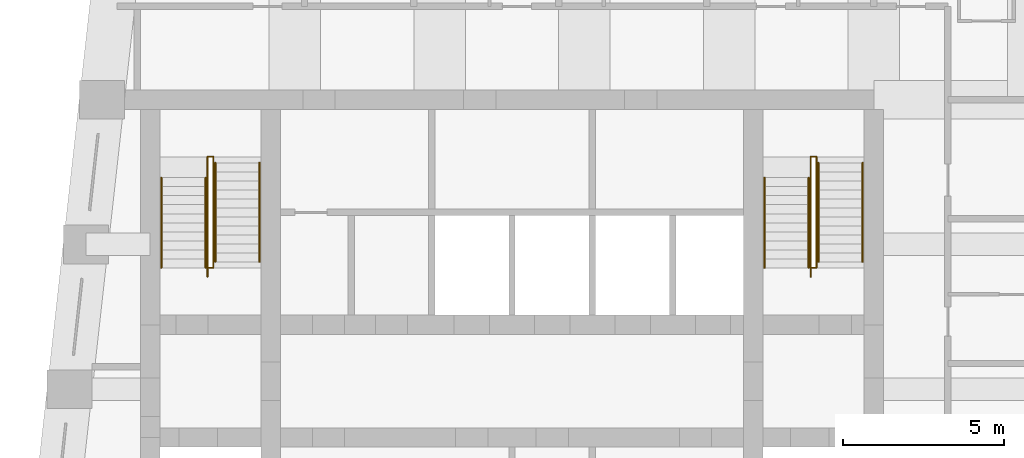
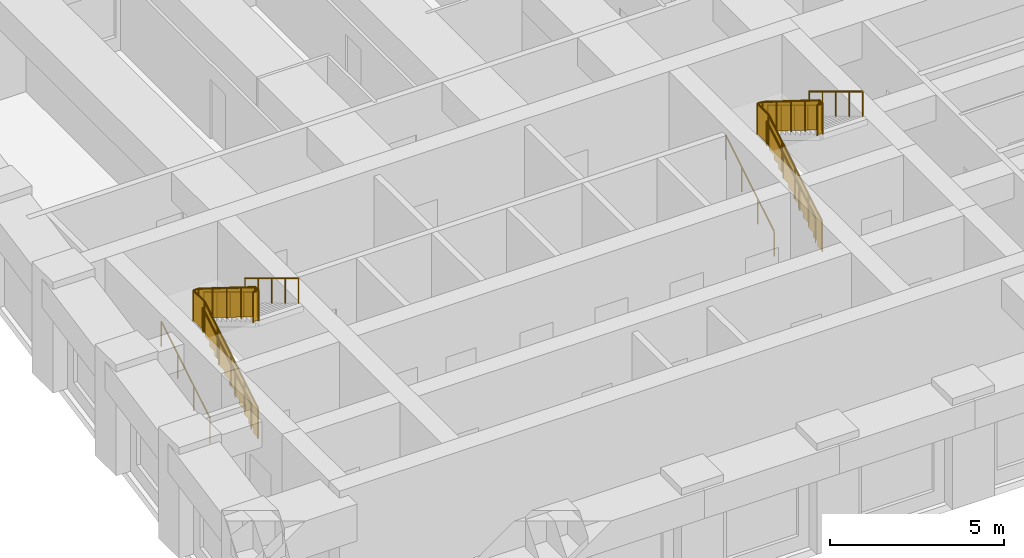
# One storey, part 7 of 7: 12 railings.
"""IFC4 building model written with IfcOpenShell, lengths in metres."""

from ifc_helpers import new_model, si_unit, direction, frame, origin, origin_2d, place, context, subcontext, project, spatial, polyline, circle, outline, extrude, material, type_object, element, save


model = new_model("IFC4")

# Units and contexts
model_context = context("Model", 3, precision=1e-05, world=origin(), true_north=direction((0.0, 1.0)))
body_context = subcontext(model_context, "Body", "Model", "MODEL_VIEW")
ifc_project = project(units=[si_unit("LENGTHUNIT", "METRE"), si_unit("AREAUNIT", "SQUARE_METRE"), si_unit("VOLUMEUNIT", "CUBIC_METRE"), si_unit("PLANEANGLEUNIT", "RADIAN"), si_unit("MASSUNIT", "GRAM", prefix="KILO")], contexts=[model_context])

# Site, building, storey
site_placement = place(None, origin())
site = spatial("IfcSite", under=ifc_project, at=site_placement, CompositionType="ELEMENT")
building_placement = place(site_placement, origin())
building = spatial("IfcBuilding", under=site, at=building_placement, Name="Kilele Tower Hotel", CompositionType="ELEMENT")
storey_placement = place(building_placement, frame((0.0, 0.0, 254.60009765625)))
storey = spatial("IfcBuildingStorey", under=building, at=storey_placement, Name="L65", CompositionType="ELEMENT", Elevation=254.60009765625)

# Railings
ifc_material_1 = material(Name="Steel handrail", Category="steel")
railing_type_1 = type_object("IfcRailingType", Name="Handrail 900", PredefinedType="HANDRAIL", material=ifc_material_1)
for number, where, name in (
    (1, (13.85009765625, 21.77490234375, 0.16943359375), "Handrail ST1 flight 1"),
    (2, (15.22509765625, 21.77490234375, 0.16943359375), "Handrail ST1 flight 1"),
):
    element("IfcRailing", number, at=place(storey_placement, frame(where)), inside=storey, type_object=railing_type_1, Name=name, PredefinedType="HANDRAIL", context=body_context, shape_type="SweptSolid", body=[
        extrude(circle(Radius=0.02490234375, at=origin_2d()), frame((0.0, 0.0, 0.875), z_axis=(0.0, 0.855360072898, 0.518033923302), x_axis=(-1.0, 0.0, 0.0)), (0.0, 0.0, 1.0), 3.2734375),
        extrude(circle(Radius=0.02001953125, at=origin_2d()), origin(), (0.0, 0.0, 1.0), 0.849853515625),
        extrude(circle(Radius=0.02001953125, at=origin_2d()), frame((0.0, 0.933349609375, 0.565185546875)), (0.0, 0.0, 1.0), 0.849853515625),
        extrude(circle(Radius=0.02001953125, at=origin_2d()), frame((0.0, 1.86669921875, 1.130615234375)), (0.0, 0.0, 1.0), 0.849853515625),
        extrude(circle(Radius=0.02001953125, at=origin_2d()), frame((0.0, 2.800048828125, 1.69580078125)), (0.0, 0.0, 1.0), 0.849853515625),
    ])
for number, where, name in (
    (3, (15.52490234375, 25.0400390625, 2.03466796875), "Handrail ST1 flight 2"),
    (4, (16.89990234375, 25.0400390625, 2.03466796875), "Handrail ST1 flight 2"),
):
    element("IfcRailing", number, at=place(storey_placement, frame(where)), inside=storey, type_object=railing_type_1, Name=name, PredefinedType="HANDRAIL", context=body_context, shape_type="SweptSolid", body=[
        extrude(circle(Radius=0.02490234375, at=origin_2d()), frame((0.0, 0.0, 0.875), z_axis=(0.0, -0.855379917629, 0.518001154937), x_axis=(1.0, 0.0, 0.0)), (0.0, 0.0, 1.0), 3.600830078125),
        extrude(circle(Radius=0.02001953125, at=origin_2d()), origin(), (0.0, 0.0, 1.0), 0.849853515625),
        extrude(circle(Radius=0.02001953125, at=origin_2d()), frame((0.0, -0.77001953125, 0.46630859375)), (0.0, 0.0, 1.0), 0.849853515625),
        extrude(circle(Radius=0.02001953125, at=origin_2d()), frame((0.0, -1.5400390625, 0.9326171875)), (0.0, 0.0, 1.0), 0.849853515625),
        extrude(circle(Radius=0.02001953125, at=origin_2d()), frame((0.0, -2.31005859375, 1.39892578125)), (0.0, 0.0, 1.0), 0.849853515625),
        extrude(circle(Radius=0.02001953125, at=origin_2d()), frame((0.0, -3.080078125, 1.865234375)), (0.0, 0.0, 1.0), 0.849853515625),
    ])
for number, where, name in (
    (5, (32.60009765625, 21.77490234375, 0.16943359375), "Handrail ST2 flight 1"),
    (6, (33.97509765625, 21.77490234375, 0.16943359375), "Handrail ST2 flight 1"),
):
    element("IfcRailing", number, at=place(storey_placement, frame(where)), inside=storey, type_object=railing_type_1, Name=name, PredefinedType="HANDRAIL", context=body_context, shape_type="SweptSolid", body=[
        extrude(circle(Radius=0.02490234375, at=origin_2d()), frame((0.0, 0.0, 0.875), z_axis=(0.0, 0.855360072898, 0.518033923302), x_axis=(-1.0, 0.0, 0.0)), (0.0, 0.0, 1.0), 3.2734375),
        extrude(circle(Radius=0.02001953125, at=origin_2d()), origin(), (0.0, 0.0, 1.0), 0.849853515625),
        extrude(circle(Radius=0.02001953125, at=origin_2d()), frame((0.0, 0.933349609375, 0.565185546875)), (0.0, 0.0, 1.0), 0.849853515625),
        extrude(circle(Radius=0.02001953125, at=origin_2d()), frame((0.0, 1.86669921875, 1.130615234375)), (0.0, 0.0, 1.0), 0.849853515625),
        extrude(circle(Radius=0.02001953125, at=origin_2d()), frame((0.0, 2.800048828125, 1.69580078125)), (0.0, 0.0, 1.0), 0.849853515625),
    ])
for number, where, name in (
    (7, (34.27490234375, 25.0400390625, 2.03466796875), "Handrail ST2 flight 2"),
    (8, (35.64990234375, 25.0400390625, 2.03466796875), "Handrail ST2 flight 2"),
):
    element("IfcRailing", number, at=place(storey_placement, frame(where)), inside=storey, type_object=railing_type_1, Name=name, PredefinedType="HANDRAIL", context=body_context, shape_type="SweptSolid", body=[
        extrude(circle(Radius=0.02490234375, at=origin_2d()), frame((0.0, 0.0, 0.875), z_axis=(0.0, -0.855379917629, 0.518001154937), x_axis=(1.0, 0.0, 0.0)), (0.0, 0.0, 1.0), 3.600830078125),
        extrude(circle(Radius=0.02001953125, at=origin_2d()), origin(), (0.0, 0.0, 1.0), 0.849853515625),
        extrude(circle(Radius=0.02001953125, at=origin_2d()), frame((0.0, -0.77001953125, 0.46630859375)), (0.0, 0.0, 1.0), 0.849853515625),
        extrude(circle(Radius=0.02001953125, at=origin_2d()), frame((0.0, -1.5400390625, 0.9326171875)), (0.0, 0.0, 1.0), 0.849853515625),
        extrude(circle(Radius=0.02001953125, at=origin_2d()), frame((0.0, -2.31005859375, 1.39892578125)), (0.0, 0.0, 1.0), 0.849853515625),
        extrude(circle(Radius=0.02001953125, at=origin_2d()), frame((0.0, -3.080078125, 1.865234375)), (0.0, 0.0, 1.0), 0.849853515625),
    ])
ifc_material_2 = material(Name="Steel guard", Category="steel")
railing_type_2 = type_object("IfcRailingType", Name="Stair guard 1100", PredefinedType="GUARDRAIL", material=ifc_material_2)
railing_1_placement = place(storey_placement, frame((15.284912109375, 21.4951171875, 0.0)))
element("IfcRailing", 9, at=railing_1_placement, inside=storey, type_object=railing_type_2, Name="Stair well guard ST1 flight 1", PredefinedType="GUARDRAIL", context=body_context, shape_type="SweptSolid", body=[
    extrude(circle(Radius=0.02490234375, at=origin_2d()), frame((0.0, 0.0, 1.0751953125), z_axis=(0.0, 0.855391767622, 0.517981586434), x_axis=(-1.0, 0.0, 0.0)), (0.0, 0.0, 1.0), 3.6005859375),
    extrude(circle(Radius=0.02490234375, at=origin_2d()), frame((0.0, 3.079833984375, 2.93994140625), z_axis=(0.0, 1.0, 0.0), x_axis=(-1.0, 0.0, 0.0)), (0.0, 0.0, 1.0), 0.650146484375),
    extrude(circle(Radius=0.02490234375, at=origin_2d()), frame((0.0, 3.72998046875, 2.93994140625), z_axis=(1.0, 0.0, 0.0), x_axis=(0.0, 1.0, 0.0)), (0.0, 0.0, 1.0), 0.18017578125),
    extrude(circle(Radius=0.02490234375, at=origin_2d()), origin(), (0.0, 0.0, 1.0), 1.050048828125),
    extrude(circle(Radius=0.02490234375, at=origin_2d()), frame((0.0, 0.77001953125, 0.46630859375)), (0.0, 0.0, 1.0), 1.050048828125),
    extrude(circle(Radius=0.02490234375, at=origin_2d()), frame((0.0, 1.5400390625, 0.9326171875)), (0.0, 0.0, 1.0), 1.050048828125),
    extrude(circle(Radius=0.02490234375, at=origin_2d()), frame((0.0, 2.309814453125, 1.398681640625)), (0.0, 0.0, 1.0), 1.050048828125),
    extrude(circle(Radius=0.02490234375, at=origin_2d()), frame((0.0, 3.079833984375, 1.864990234375)), (0.0, 0.0, 1.0), 1.050048828125),
    extrude(circle(Radius=0.02490234375, at=origin_2d()), frame((0.0, 3.72998046875, 1.864990234375)), (0.0, 0.0, 1.0), 1.050048828125),
    extrude(circle(Radius=0.02490234375, at=origin_2d()), frame((0.18017578125, 3.72998046875, 1.864990234375)), (0.0, 0.0, 1.0), 1.050048828125),
    extrude(outline(polyline([(0.012451171875, 0.030029296875), (0.25, 0.030029296875), (0.25, 0.199462890625), (0.530029296875, 0.199462890625), (0.530029296875, 0.369140625), (0.809814453125, 0.369140625), (0.809814453125, 0.53857421875), (1.08984375, 0.53857421875), (1.08984375, 0.708251953125), (1.369873046875, 0.708251953125), (1.369873046875, 0.877685546875), (1.64990234375, 0.877685546875), (1.64990234375, 1.04736328125), (1.929931640625, 1.04736328125), (1.929931640625, 1.216796875), (2.2099609375, 1.216796875), (2.2099609375, 1.386474609375), (2.48974609375, 1.386474609375), (2.48974609375, 1.555908203125), (2.769775390625, 1.555908203125), (2.769775390625, 1.7255859375), (3.0498046875, 1.7255859375), (3.0498046875, 1.89501953125), (3.0673828125, 1.89501953125), (3.0673828125, 2.9033203125), (0.012451171875, 1.053466796875), (0.012451171875, 0.030029296875)])), frame((-0.005859375, 0.0, 0.0), z_axis=(1.0, 0.0, 0.0), x_axis=(0.0, 1.0, 0.0)), (0.0, 0.0, 1.0), 0.011962890625),
    extrude(outline(polyline([(0.012451171875, 0.030029296875), (0.6376953125, 0.030029296875), (0.6376953125, 1.050048828125), (0.012451171875, 1.050048828125), (0.012451171875, 0.030029296875)])), frame((-0.005859375, 3.079833984375, 1.864990234375), z_axis=(1.0, 0.0, 0.0), x_axis=(0.0, 1.0, 0.0)), (0.0, 0.0, 1.0), 0.011962890625),
    extrude(outline(polyline([(0.012451171875, 0.030029296875), (0.18017578125, 0.030029296875), (0.18017578125, 1.050048828125), (0.012451171875, 1.050048828125), (0.012451171875, 0.030029296875)])), frame((0.0, 3.73583984375, 1.864990234375), z_axis=(0.0, -1.0, 0.0), x_axis=(1.0, 0.0, 0.0)), (0.0, 0.0, 1.0), 0.011962890625),
])
railing_2_placement = place(storey_placement, frame((15.465087890625, 25.22509765625, 1.864990234375)))
element("IfcRailing", 10, at=railing_2_placement, inside=storey, type_object=railing_type_2, Name="Stair well guard ST1 flight 2", PredefinedType="GUARDRAIL", context=body_context, shape_type="SweptSolid", body=[
    extrude(circle(Radius=0.02490234375, at=origin_2d()), frame((0.0, 0.0, 1.0751953125), z_axis=(0.0, -0.848674962302, 0.528914745834), x_axis=(1.0, 0.0, 0.0)), (0.0, 0.0, 1.0), 3.847412109375),
    extrude(circle(Radius=0.02490234375, at=origin_2d()), frame((0.0, -3.26513671875, 3.10986328125), z_axis=(0.0, -1.0, 0.0), x_axis=(1.0, 0.0, 0.0)), (0.0, 0.0, 1.0), 0.18505859375),
    extrude(circle(Radius=0.02490234375, at=origin_2d()), frame((0.0, -3.4501953125, 3.10986328125), z_axis=(-1.0, 0.0, 0.0), x_axis=(0.0, -1.0, 0.0)), (0.0, 0.0, 1.0), 0.18017578125),
    extrude(circle(Radius=0.02490234375, at=origin_2d()), origin(), (0.0, 0.0, 1.0), 1.050048828125),
    extrude(circle(Radius=0.02490234375, at=origin_2d()), frame((0.0, -0.81640625, 0.5087890625)), (0.0, 0.0, 1.0), 1.050048828125),
    extrude(circle(Radius=0.02490234375, at=origin_2d()), frame((0.0, -1.632568359375, 1.017578125)), (0.0, 0.0, 1.0), 1.050048828125),
    extrude(circle(Radius=0.02490234375, at=origin_2d()), frame((0.0, -2.44873046875, 1.526123046875)), (0.0, 0.0, 1.0), 1.050048828125),
    extrude(circle(Radius=0.02490234375, at=origin_2d()), frame((0.0, -3.26513671875, 2.034912109375)), (0.0, 0.0, 1.0), 1.050048828125),
    extrude(circle(Radius=0.02490234375, at=origin_2d()), frame((0.0, -3.4501953125, 2.034912109375)), (0.0, 0.0, 1.0), 1.050048828125),
    extrude(circle(Radius=0.02490234375, at=origin_2d()), frame((-0.18017578125, -3.4501953125, 2.034912109375)), (0.0, 0.0, 1.0), 1.050048828125),
    extrude(outline(polyline([(0.0, 0.030029296875), (3.252685546875, 2.05712890625), (3.252685546875, 3.07275390625), (0.0, 1.045654296875), (0.0, 0.030029296875)])), frame((0.005859375, 0.0, 0.0), z_axis=(-1.0, 0.0, 0.0), x_axis=(0.0, -1.0, 0.0)), (0.0, 0.0, 1.0), 0.011962890625),
    extrude(outline(polyline([(0.012451171875, 0.030029296875), (0.172607421875, 0.030029296875), (0.172607421875, 1.050048828125), (0.012451171875, 1.050048828125), (0.012451171875, 0.030029296875)])), frame((0.005859375, -3.26513671875, 2.034912109375), z_axis=(-1.0, 0.0, 0.0), x_axis=(0.0, -1.0, 0.0)), (0.0, 0.0, 1.0), 0.011962890625),
    extrude(outline(polyline([(0.012451171875, 0.030029296875), (0.18017578125, 0.030029296875), (0.18017578125, 1.050048828125), (0.012451171875, 1.050048828125), (0.012451171875, 0.030029296875)])), frame((0.0, -3.4560546875, 2.034912109375), z_axis=(0.0, 1.0, 0.0), x_axis=(-1.0, 0.0, 0.0)), (0.0, 0.0, 1.0), 0.011962890625),
])
railing_3_placement = place(storey_placement, frame((34.034912109375, 21.4951171875, 0.0)))
element("IfcRailing", 11, at=railing_3_placement, inside=storey, type_object=railing_type_2, Name="Stair well guard ST2 flight 1", PredefinedType="GUARDRAIL", context=body_context, shape_type="SweptSolid", body=[
    extrude(circle(Radius=0.02490234375, at=origin_2d()), frame((0.0, 0.0, 1.0751953125), z_axis=(0.0, 0.855391767622, 0.517981586434), x_axis=(-1.0, 0.0, 0.0)), (0.0, 0.0, 1.0), 3.6005859375),
    extrude(circle(Radius=0.02490234375, at=origin_2d()), frame((0.0, 3.079833984375, 2.93994140625), z_axis=(0.0, 1.0, 0.0), x_axis=(-1.0, 0.0, 0.0)), (0.0, 0.0, 1.0), 0.650146484375),
    extrude(circle(Radius=0.02490234375, at=origin_2d()), frame((0.0, 3.72998046875, 2.93994140625), z_axis=(1.0, 0.0, 0.0), x_axis=(0.0, 1.0, 0.0)), (0.0, 0.0, 1.0), 0.18017578125),
    extrude(circle(Radius=0.02490234375, at=origin_2d()), origin(), (0.0, 0.0, 1.0), 1.050048828125),
    extrude(circle(Radius=0.02490234375, at=origin_2d()), frame((0.0, 0.77001953125, 0.46630859375)), (0.0, 0.0, 1.0), 1.050048828125),
    extrude(circle(Radius=0.02490234375, at=origin_2d()), frame((0.0, 1.5400390625, 0.9326171875)), (0.0, 0.0, 1.0), 1.050048828125),
    extrude(circle(Radius=0.02490234375, at=origin_2d()), frame((0.0, 2.309814453125, 1.398681640625)), (0.0, 0.0, 1.0), 1.050048828125),
    extrude(circle(Radius=0.02490234375, at=origin_2d()), frame((0.0, 3.079833984375, 1.864990234375)), (0.0, 0.0, 1.0), 1.050048828125),
    extrude(circle(Radius=0.02490234375, at=origin_2d()), frame((0.0, 3.72998046875, 1.864990234375)), (0.0, 0.0, 1.0), 1.050048828125),
    extrude(circle(Radius=0.02490234375, at=origin_2d()), frame((0.18017578125, 3.72998046875, 1.864990234375)), (0.0, 0.0, 1.0), 1.050048828125),
    extrude(outline(polyline([(0.012451171875, 0.030029296875), (0.25, 0.030029296875), (0.25, 0.199462890625), (0.530029296875, 0.199462890625), (0.530029296875, 0.369140625), (0.809814453125, 0.369140625), (0.809814453125, 0.53857421875), (1.08984375, 0.53857421875), (1.08984375, 0.708251953125), (1.369873046875, 0.708251953125), (1.369873046875, 0.877685546875), (1.64990234375, 0.877685546875), (1.64990234375, 1.04736328125), (1.929931640625, 1.04736328125), (1.929931640625, 1.216796875), (2.2099609375, 1.216796875), (2.2099609375, 1.386474609375), (2.48974609375, 1.386474609375), (2.48974609375, 1.555908203125), (2.769775390625, 1.555908203125), (2.769775390625, 1.7255859375), (3.0498046875, 1.7255859375), (3.0498046875, 1.89501953125), (3.0673828125, 1.89501953125), (3.0673828125, 2.9033203125), (0.012451171875, 1.053466796875), (0.012451171875, 0.030029296875)])), frame((-0.005859375, 0.0, 0.0), z_axis=(1.0, 0.0, 0.0), x_axis=(0.0, 1.0, 0.0)), (0.0, 0.0, 1.0), 0.011962890625),
    extrude(outline(polyline([(0.012451171875, 0.030029296875), (0.6376953125, 0.030029296875), (0.6376953125, 1.050048828125), (0.012451171875, 1.050048828125), (0.012451171875, 0.030029296875)])), frame((-0.005859375, 3.079833984375, 1.864990234375), z_axis=(1.0, 0.0, 0.0), x_axis=(0.0, 1.0, 0.0)), (0.0, 0.0, 1.0), 0.011962890625),
    extrude(outline(polyline([(0.012451171875, 0.030029296875), (0.18017578125, 0.030029296875), (0.18017578125, 1.050048828125), (0.012451171875, 1.050048828125), (0.012451171875, 0.030029296875)])), frame((0.0, 3.73583984375, 1.864990234375), z_axis=(0.0, -1.0, 0.0), x_axis=(1.0, 0.0, 0.0)), (0.0, 0.0, 1.0), 0.011962890625),
])
railing_4_placement = place(storey_placement, frame((34.215087890625, 25.22509765625, 1.864990234375)))
element("IfcRailing", 12, at=railing_4_placement, inside=storey, type_object=railing_type_2, Name="Stair well guard ST2 flight 2", PredefinedType="GUARDRAIL", context=body_context, shape_type="SweptSolid", body=[
    extrude(circle(Radius=0.02490234375, at=origin_2d()), frame((0.0, 0.0, 1.0751953125), z_axis=(0.0, -0.848674962302, 0.528914745834), x_axis=(1.0, 0.0, 0.0)), (0.0, 0.0, 1.0), 3.847412109375),
    extrude(circle(Radius=0.02490234375, at=origin_2d()), frame((0.0, -3.26513671875, 3.10986328125), z_axis=(0.0, -1.0, 0.0), x_axis=(1.0, 0.0, 0.0)), (0.0, 0.0, 1.0), 0.18505859375),
    extrude(circle(Radius=0.02490234375, at=origin_2d()), frame((0.0, -3.4501953125, 3.10986328125), z_axis=(-1.0, 0.0, 0.0), x_axis=(0.0, -1.0, 0.0)), (0.0, 0.0, 1.0), 0.18017578125),
    extrude(circle(Radius=0.02490234375, at=origin_2d()), origin(), (0.0, 0.0, 1.0), 1.050048828125),
    extrude(circle(Radius=0.02490234375, at=origin_2d()), frame((0.0, -0.81640625, 0.5087890625)), (0.0, 0.0, 1.0), 1.050048828125),
    extrude(circle(Radius=0.02490234375, at=origin_2d()), frame((0.0, -1.632568359375, 1.017578125)), (0.0, 0.0, 1.0), 1.050048828125),
    extrude(circle(Radius=0.02490234375, at=origin_2d()), frame((0.0, -2.44873046875, 1.526123046875)), (0.0, 0.0, 1.0), 1.050048828125),
    extrude(circle(Radius=0.02490234375, at=origin_2d()), frame((0.0, -3.26513671875, 2.034912109375)), (0.0, 0.0, 1.0), 1.050048828125),
    extrude(circle(Radius=0.02490234375, at=origin_2d()), frame((0.0, -3.4501953125, 2.034912109375)), (0.0, 0.0, 1.0), 1.050048828125),
    extrude(circle(Radius=0.02490234375, at=origin_2d()), frame((-0.18017578125, -3.4501953125, 2.034912109375)), (0.0, 0.0, 1.0), 1.050048828125),
    extrude(outline(polyline([(0.0, 0.030029296875), (3.252685546875, 2.05712890625), (3.252685546875, 3.07275390625), (0.0, 1.045654296875), (0.0, 0.030029296875)])), frame((0.005859375, 0.0, 0.0), z_axis=(-1.0, 0.0, 0.0), x_axis=(0.0, -1.0, 0.0)), (0.0, 0.0, 1.0), 0.011962890625),
    extrude(outline(polyline([(0.012451171875, 0.030029296875), (0.172607421875, 0.030029296875), (0.172607421875, 1.050048828125), (0.012451171875, 1.050048828125), (0.012451171875, 0.030029296875)])), frame((0.005859375, -3.26513671875, 2.034912109375), z_axis=(-1.0, 0.0, 0.0), x_axis=(0.0, -1.0, 0.0)), (0.0, 0.0, 1.0), 0.011962890625),
    extrude(outline(polyline([(0.012451171875, 0.030029296875), (0.18017578125, 0.030029296875), (0.18017578125, 1.050048828125), (0.012451171875, 1.050048828125), (0.012451171875, 0.030029296875)])), frame((0.0, -3.4560546875, 2.034912109375), z_axis=(0.0, 1.0, 0.0), x_axis=(-1.0, 0.0, 0.0)), (0.0, 0.0, 1.0), 0.011962890625),
])

save(model, "model.ifc")
